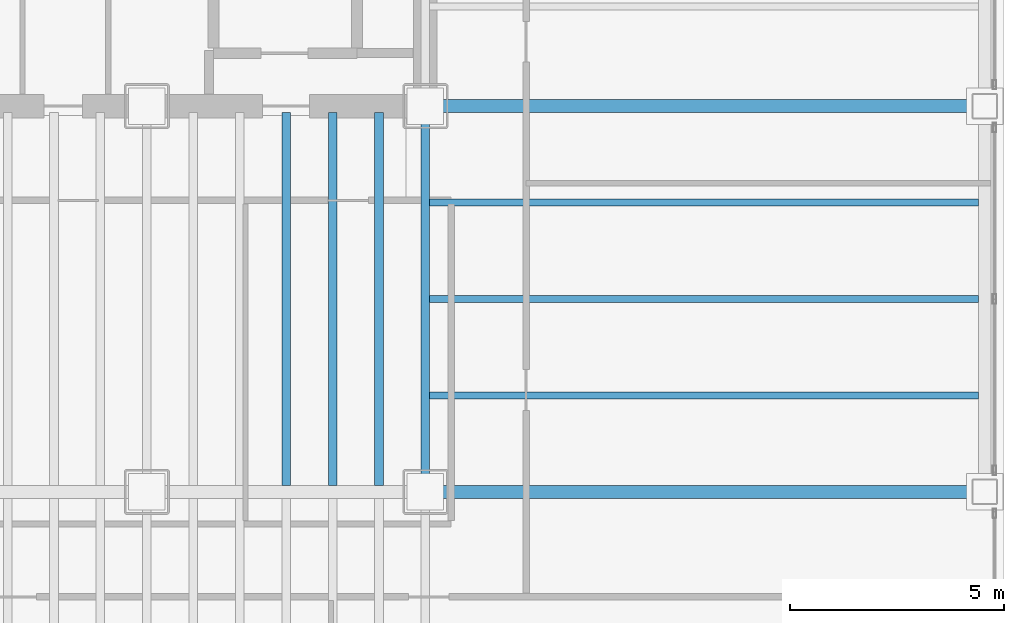
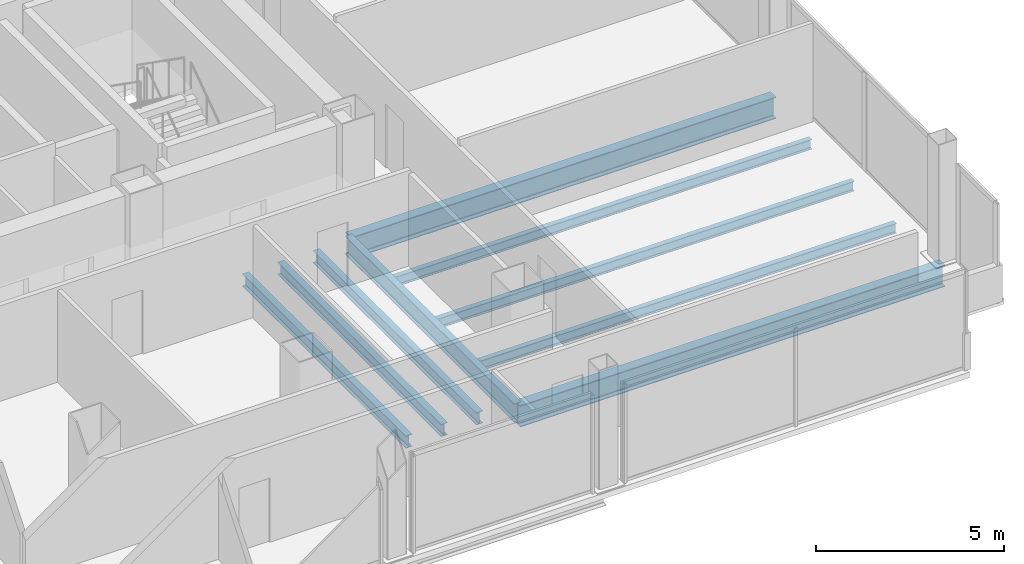
# One storey, part 9 of 20: 9 beams.
"""IFC4 building model written with IfcOpenShell, lengths in metres."""

from ifc_helpers import new_model, si_unit, direction, frame, origin, origin_2d, place, context, subcontext, project, spatial, i_section, extrude, material, material_profile, profile_set, type_object, element, save


model = new_model("IFC4")

# Units and contexts
model_context = context("Model", 3, precision=1e-05, world=origin(), true_north=direction((0.0, 1.0)))
body_context = subcontext(model_context, "Body", "Model", "MODEL_VIEW")
ifc_project = project(units=[si_unit("LENGTHUNIT", "METRE"), si_unit("AREAUNIT", "SQUARE_METRE"), si_unit("VOLUMEUNIT", "CUBIC_METRE"), si_unit("PLANEANGLEUNIT", "RADIAN"), si_unit("MASSUNIT", "GRAM", prefix="KILO")], contexts=[model_context])

# Site, building, storey
site_placement = place(None, origin())
site = spatial("IfcSite", under=ifc_project, at=site_placement, CompositionType="ELEMENT")
building_placement = place(site_placement, origin())
building = spatial("IfcBuilding", under=site, at=building_placement, Name="Noeulbin Bourse Tower", CompositionType="ELEMENT")
storey_placement = place(building_placement, frame((0.0, 0.0, 61.60009765625)))
storey = spatial("IfcBuildingStorey", under=building, at=storey_placement, Name="L15", CompositionType="ELEMENT", Elevation=61.60009765625)

# Beams
ifc_material = material(Name="Steel S355", Category="steel")
ifc_material_profile_1 = material_profile(ifc_material, i_section(OverallWidth=0.199951171875, OverallDepth=0.60009765625, WebThickness=0.010986328125, FlangeThickness=0.01708984375, FilletRadius=0.02197265625, at=origin_2d()), Name="H-600x200x11x17", Category="LoadBearing")
ifc_profile_set_1 = profile_set([ifc_material_profile_1], Name="Steel S355")
beam_type_1 = type_object("IfcBeamType", Name="BM-GRD-600", PredefinedType="USERDEFINED", material=ifc_profile_set_1)
beam_placement = place(storey_placement, frame((44.0, 20.0, -0.47998046875), z_axis=(0.0, 1.0, 0.0), x_axis=(-1.0, 0.0, 0.0)))
element("IfcBeam", 1, at=beam_placement, inside=storey, type_object=beam_type_1, Name="Tower Primary Girder NS L15-5.2", ObjectType="GIRDER", PredefinedType="USERDEFINED", context=body_context, shape_type="SweptSolid", body=[
    extrude(i_section(OverallWidth=0.199951171875, OverallDepth=0.60009765625, WebThickness=0.010986328125, FlangeThickness=0.01708984375, FilletRadius=0.02197265625, at=origin_2d()), origin(), (0.0, 0.0, 1.0), 9.0),
])
ifc_material_profile_2 = material_profile(ifc_material, i_section(OverallWidth=0.300048828125, OverallDepth=0.699951171875, WebThickness=0.012939453125, FlangeThickness=0.02392578125, FilletRadius=0.02392578125, at=origin_2d()), Name="H-700x300x13x24", Category="LoadBearing")
ifc_profile_set_2 = profile_set([ifc_material_profile_2], Name="Steel S355")
beam_type_2 = type_object("IfcBeamType", Name="BM-GRD-700", PredefinedType="USERDEFINED", material=ifc_profile_set_2)
for number, where, z_axis, x_axis, name in (
    (2, (44.0, 20.0, -0.530029296875), (1.0, 0.0, 0.0), (0.0, 1.0, 0.0), "Tower Primary Girder EW L15-1.6"),
    (3, (44.0, 29.0, -0.530029296875), (1.0, 0.0, 0.0), (0.0, 1.0, 0.0), "Tower Primary Girder EW L15-2.6"),
):
    element("IfcBeam", number, at=place(storey_placement, frame(where, z_axis=z_axis, x_axis=x_axis)), inside=storey, type_object=beam_type_2, Name=name, ObjectType="GIRDER", PredefinedType="USERDEFINED", context=body_context, shape_type="SweptSolid", body=[
        extrude(i_section(OverallWidth=0.300048828125, OverallDepth=0.699951171875, WebThickness=0.012939453125, FlangeThickness=0.02392578125, FilletRadius=0.02392578125, at=origin_2d()), origin(), (0.0, 0.0, 1.0), 13.050048828125),
    ])
ifc_material_profile_3 = material_profile(ifc_material, i_section(OverallWidth=0.159912109375, OverallDepth=0.320068359375, WebThickness=0.006591796875, FlangeThickness=0.010009765625, FilletRadius=0.012939453125, at=origin_2d()), Name="H-320x160x6.5x10", Category="LoadBearing")
ifc_profile_set_3 = profile_set([ifc_material_profile_3], Name="Steel S355")
beam_type_3 = type_object("IfcBeamType", Name="BM-JST-320", PredefinedType="JOIST", material=ifc_profile_set_3)
for number, where, z_axis, x_axis, name in (
    (4, (44.10009765625, 22.25, -0.340087890625), (1.0, 0.0, 0.0), (0.0, 1.0, 0.0), "Wing Composite Joist L15-E76"),
    (5, (44.10009765625, 24.5, -0.340087890625), (1.0, 0.0, 0.0), (0.0, 1.0, 0.0), "Wing Composite Joist L15-E77"),
    (6, (44.10009765625, 26.75, -0.340087890625), (1.0, 0.0, 0.0), (0.0, 1.0, 0.0), "Wing Composite Joist L15-E78"),
):
    element("IfcBeam", number, at=place(storey_placement, frame(where, z_axis=z_axis, x_axis=x_axis)), inside=storey, type_object=beam_type_3, Name=name, PredefinedType="JOIST", context=body_context, shape_type="SweptSolid", body=[
        extrude(i_section(OverallWidth=0.159912109375, OverallDepth=0.320068359375, WebThickness=0.006591796875, FlangeThickness=0.010009765625, FilletRadius=0.012939453125, at=origin_2d()), origin(), (0.0, 0.0, 1.0), 12.7998046875),
    ])
ifc_material_profile_4 = material_profile(ifc_material, i_section(OverallWidth=0.199951171875, OverallDepth=0.39990234375, WebThickness=0.008056640625, FlangeThickness=0.012939453125, FilletRadius=0.01611328125, at=origin_2d()), Name="H-400x200x8x13", Category="LoadBearing")
ifc_profile_set_4 = profile_set([ifc_material_profile_4], Name="Steel S355")
beam_type_4 = type_object("IfcBeamType", Name="BM-SEC-400", PredefinedType="BEAM", material=ifc_profile_set_4)
for number, where, z_axis, x_axis, name in (
    (7, (40.75, 20.14990234375, -0.380126953125), (0.0, 1.0, 0.0), (-1.0, 0.0, 0.0), "Tower Composite Joist L15-62"),
    (8, (41.833251953125, 20.14990234375, -0.380126953125), (0.0, 1.0, 0.0), (-1.0, 0.0, 0.0), "Tower Composite Joist L15-65"),
    (9, (42.916748046875, 20.14990234375, -0.380126953125), (0.0, 1.0, 0.0), (-1.0, 0.0, 0.0), "Tower Composite Joist L15-68"),
):
    element("IfcBeam", number, at=place(storey_placement, frame(where, z_axis=z_axis, x_axis=x_axis)), inside=storey, type_object=beam_type_4, Name=name, PredefinedType="BEAM", context=body_context, shape_type="SweptSolid", body=[
        extrude(i_section(OverallWidth=0.199951171875, OverallDepth=0.39990234375, WebThickness=0.008056640625, FlangeThickness=0.012939453125, FilletRadius=0.01611328125, at=origin_2d()), origin(), (0.0, 0.0, 1.0), 8.7001953125),
    ])

save(model, "model.ifc")
